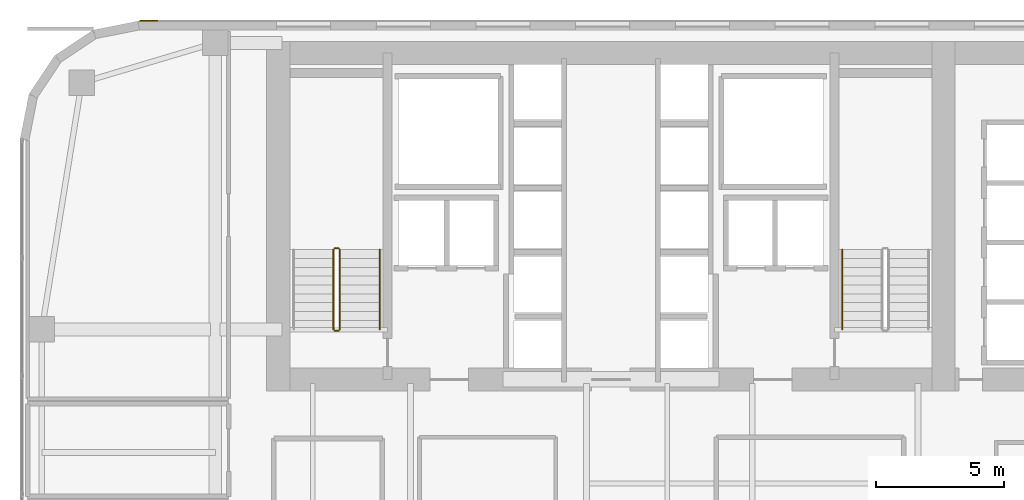
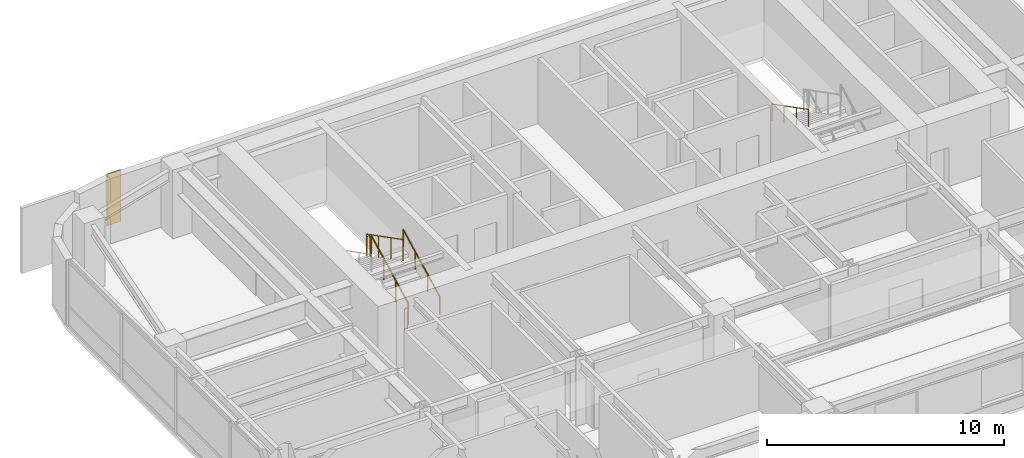
# One storey, part 35 of 37: 6 railings, 1 covering.
"""IFC4 building model written with IfcOpenShell, lengths in metres."""

from ifc_helpers import new_model, si_unit, direction, frame, origin, origin_2d, place, context, subcontext, project, spatial, polyline, circle, outline, extrude, material, layer, layer_set, type_object, element, save


model = new_model("IFC4")

# Units and contexts
model_context = context("Model", 3, precision=1e-05, world=origin(), true_north=direction((0.0, 1.0)))
body_context = subcontext(model_context, "Body", "Model", "MODEL_VIEW")
ifc_project = project(units=[si_unit("LENGTHUNIT", "METRE"), si_unit("AREAUNIT", "SQUARE_METRE"), si_unit("VOLUMEUNIT", "CUBIC_METRE"), si_unit("PLANEANGLEUNIT", "RADIAN"), si_unit("MASSUNIT", "GRAM", prefix="KILO")], contexts=[model_context])

# Site, building, storey
site_placement = place(None, origin())
site = spatial("IfcSite", under=ifc_project, at=site_placement, CompositionType="ELEMENT")
building_placement = place(site_placement, origin())
building = spatial("IfcBuilding", under=site, at=building_placement, Name="Tolvann Quenvar Hotel", CompositionType="ELEMENT")
storey_placement = place(building_placement, frame((0.0, 0.0, 53.300048828125)))
storey = spatial("IfcBuildingStorey", under=building, at=storey_placement, Name="L12", CompositionType="ELEMENT", Elevation=53.300048828125)

# Covering
ifc_material_1 = material(Name="Kiln-fired red architectural face brick cladding", Category="masonry")
ifc_layer = layer(ifc_material_1, 0.0400390625)
ifc_layer_set = layer_set([ifc_layer], Name="Kiln-fired red architectural face brick cladding")
covering_type = type_object("IfcCoveringType", Name="COV_CLAD_BRICK_40", PredefinedType="CLADDING", material=ifc_layer_set)
covering_placement = place(storey_placement, frame((0.0, 0.0, 0.699951171875)))
element("IfcCovering", 1, at=covering_placement, inside=storey, type_object=covering_type, Name="Brick Pier Cladding (L12-E18-P2)", PredefinedType="CLADDING", context=body_context, shape_type="SweptSolid", body=[
    extrude(outline(polyline([(5.3671875, 46.0), (4.667236328125, 46.0), (4.667236328125, 46.0400390625), (5.3671875, 46.0400390625), (5.3671875, 46.0)])), origin(), (0.0, 0.0, 1.0), 2.669921875),
])

# Railings
ifc_material_2 = material(Name="Brushed 316 stainless steel balustrade and handrail", Category="steel")
railing_type_1 = type_object("IfcRailingType", Name="GUARDRAIL", PredefinedType="GUARDRAIL", material=ifc_material_2)
railing_1_placement = place(storey_placement, frame((12.449951171875, 34.0, 0.177490234375)))
element("IfcRailing", 2, at=railing_1_placement, inside=storey, type_object=railing_type_1, Name="L12 ST-C1 stair guard 1", PredefinedType="GUARDRAIL", context=body_context, shape_type="SweptSolid", body=[
    extrude(circle(Radius=0.02392578125, at=origin_2d()), frame((0.0, 0.0, 1.09619140625), z_axis=(0.0, 0.889221982265, 0.45747597342), x_axis=(-1.0, 0.0, 0.0)), (0.0, 0.0, 1.0), 3.49169921875),
    extrude(circle(Radius=0.02099609375, at=origin_2d()), origin(), (0.0, 0.0, 1.0), 1.072021484375),
    extrude(circle(Radius=0.02099609375, at=origin_2d()), frame((0.0, 1.034912109375, 0.532470703125)), (0.0, 0.0, 1.0), 1.072021484375),
    extrude(circle(Radius=0.02099609375, at=origin_2d()), frame((0.0, 2.070068359375, 1.06494140625)), (0.0, 0.0, 1.0), 1.072021484375),
    extrude(circle(Radius=0.02099609375, at=origin_2d()), frame((0.0, 3.10498046875, 1.597412109375)), (0.0, 0.0, 1.0), 1.072021484375),
])
railing_2_placement = place(storey_placement, frame((12.39990234375, 37.155029296875, 1.77490234375)))
element("IfcRailing", 3, at=railing_2_placement, inside=storey, type_object=railing_type_1, Name="L12 ST-C1 stair guard 2", PredefinedType="GUARDRAIL", context=body_context, shape_type="SweptSolid", body=[
    extrude(circle(Radius=0.02392578125, at=origin_2d()), frame((0.0, 0.0, 1.09619140625), z_axis=(-1.0, 0.0, 0.0), x_axis=(0.0, -1.0, 0.0)), (0.0, 0.0, 1.0), 0.14990234375),
    extrude(circle(Radius=0.02099609375, at=origin_2d()), origin(), (0.0, 0.0, 1.0), 1.072021484375),
    extrude(circle(Radius=0.02099609375, at=origin_2d()), frame((-0.14990234375, 0.0, 0.0)), (0.0, 0.0, 1.0), 1.072021484375),
])
railing_3_placement = place(storey_placement, frame((12.199951171875, 37.10498046875, 1.952392578125)))
element("IfcRailing", 4, at=railing_3_placement, inside=storey, type_object=railing_type_1, Name="L12 ST-C1 stair guard 3", PredefinedType="GUARDRAIL", context=body_context, shape_type="SweptSolid", body=[
    extrude(circle(Radius=0.02392578125, at=origin_2d()), frame((0.0, 0.0, 1.09619140625), z_axis=(0.0, -0.88919353882, 0.457531256332), x_axis=(1.0, 0.0, 0.0)), (0.0, 0.0, 1.0), 3.491943359375),
    extrude(circle(Radius=0.02099609375, at=origin_2d()), origin(), (0.0, 0.0, 1.0), 1.072021484375),
    extrude(circle(Radius=0.02099609375, at=origin_2d()), frame((0.0, -1.034912109375, 0.532470703125)), (0.0, 0.0, 1.0), 1.072021484375),
    extrude(circle(Radius=0.02099609375, at=origin_2d()), frame((0.0, -2.070068359375, 1.065185546875)), (0.0, 0.0, 1.0), 1.072021484375),
    extrude(circle(Radius=0.02099609375, at=origin_2d()), frame((0.0, -3.10498046875, 1.59765625)), (0.0, 0.0, 1.0), 1.072021484375),
])
railing_4_placement = place(storey_placement, frame((12.39990234375, 33.949951171875, 0.0)))
element("IfcRailing", 5, at=railing_4_placement, inside=storey, type_object=railing_type_1, Name="L12 ST-C1 stair guard 4", PredefinedType="GUARDRAIL", context=body_context, shape_type="SweptSolid", body=[
    extrude(circle(Radius=0.02392578125, at=origin_2d()), frame((0.0, 0.0, 1.09619140625), z_axis=(-1.0, 0.0, 0.0), x_axis=(0.0, -1.0, 0.0)), (0.0, 0.0, 1.0), 0.14990234375),
    extrude(circle(Radius=0.02099609375, at=origin_2d()), origin(), (0.0, 0.0, 1.0), 1.072021484375),
    extrude(circle(Radius=0.02099609375, at=origin_2d()), frame((-0.14990234375, 0.0, 0.0)), (0.0, 0.0, 1.0), 1.072021484375),
])
railing_type_2 = type_object("IfcRailingType", Name="HANDRAIL", PredefinedType="HANDRAIL", material=ifc_material_2)
railing_5_placement = place(storey_placement, frame((14.0, 34.0, 0.177490234375)))
element("IfcRailing", 6, at=railing_5_placement, inside=storey, type_object=railing_type_2, Name="L12 ST-C1 stair handrail 1", PredefinedType="HANDRAIL", context=body_context, shape_type="SweptSolid", body=[
    extrude(circle(Radius=0.02392578125, at=origin_2d()), frame((0.0, 0.0, 0.8759765625), z_axis=(0.0, 0.889221982265, 0.45747597342), x_axis=(-1.0, 0.0, 0.0)), (0.0, 0.0, 1.0), 3.49169921875),
    extrude(circle(Radius=0.02099609375, at=origin_2d()), origin(), (0.0, 0.0, 1.0), 0.851806640625),
    extrude(circle(Radius=0.02099609375, at=origin_2d()), frame((0.0, 1.034912109375, 0.532470703125)), (0.0, 0.0, 1.0), 0.851806640625),
    extrude(circle(Radius=0.02099609375, at=origin_2d()), frame((0.0, 2.070068359375, 1.06494140625)), (0.0, 0.0, 1.0), 0.851806640625),
    extrude(circle(Radius=0.02099609375, at=origin_2d()), frame((0.0, 3.10498046875, 1.597412109375)), (0.0, 0.0, 1.0), 0.851806640625),
])
railing_6_placement = place(storey_placement, frame((32.0, 37.10498046875, 1.952392578125)))
element("IfcRailing", 7, at=railing_6_placement, inside=storey, type_object=railing_type_2, Name="L12 ST-C2 stair handrail 2", PredefinedType="HANDRAIL", context=body_context, shape_type="SweptSolid", body=[
    extrude(circle(Radius=0.02392578125, at=origin_2d()), frame((0.0, 0.0, 0.8759765625), z_axis=(0.0, -0.88919353882, 0.457531256332), x_axis=(1.0, 0.0, 0.0)), (0.0, 0.0, 1.0), 3.491943359375),
    extrude(circle(Radius=0.02099609375, at=origin_2d()), origin(), (0.0, 0.0, 1.0), 0.851806640625),
    extrude(circle(Radius=0.02099609375, at=origin_2d()), frame((0.0, -1.034912109375, 0.532470703125)), (0.0, 0.0, 1.0), 0.851806640625),
    extrude(circle(Radius=0.02099609375, at=origin_2d()), frame((0.0, -2.070068359375, 1.065185546875)), (0.0, 0.0, 1.0), 0.851806640625),
    extrude(circle(Radius=0.02099609375, at=origin_2d()), frame((0.0, -3.10498046875, 1.59765625)), (0.0, 0.0, 1.0), 0.851806640625),
])

save(model, "model.ifc")
